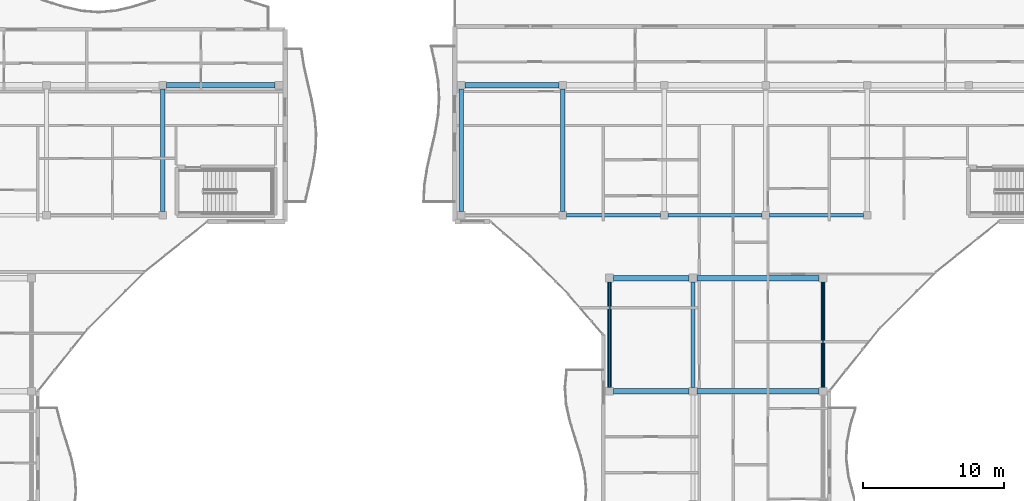
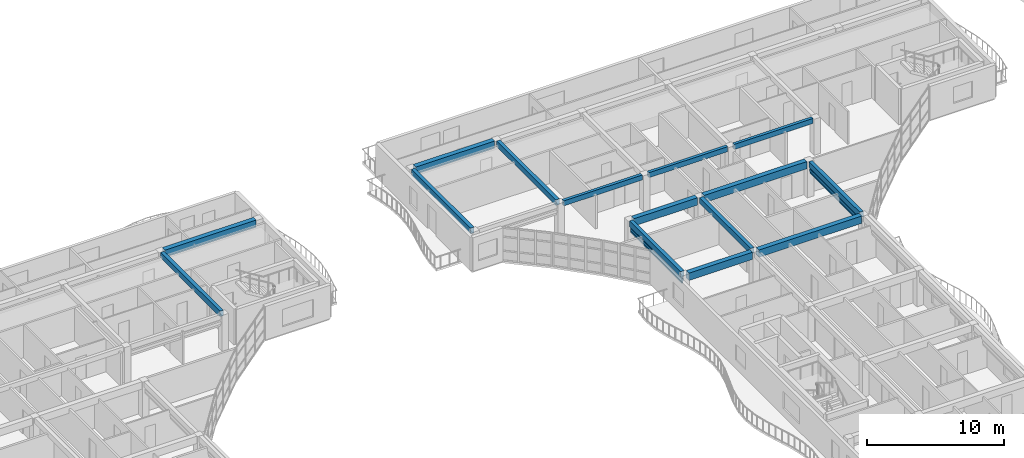
# One storey, part 12 of 54: 15 beams, 4 members.
"""IFC4 building model written with IfcOpenShell, lengths in metres."""

from ifc_helpers import new_model, si_unit, direction, frame, origin, origin_2d, place, context, subcontext, project, spatial, rectangle, hollow_rectangle, extrude, material, material_profile, profile_set, type_object, element, save


model = new_model("IFC4")

# Units and contexts
model_context = context("Model", 3, precision=1e-05, world=origin(), true_north=direction((0.0, 1.0)))
body_context = subcontext(model_context, "Body", "Model", "MODEL_VIEW")
ifc_project = project(units=[si_unit("LENGTHUNIT", "METRE"), si_unit("AREAUNIT", "SQUARE_METRE"), si_unit("VOLUMEUNIT", "CUBIC_METRE"), si_unit("PLANEANGLEUNIT", "RADIAN"), si_unit("MASSUNIT", "GRAM", prefix="KILO")], contexts=[model_context])

# Site, building, storey
site_placement = place(None, origin())
site = spatial("IfcSite", under=ifc_project, at=site_placement, CompositionType="ELEMENT")
building_placement = place(site_placement, origin())
building = spatial("IfcBuilding", under=site, at=building_placement, Name="Keldmere Railside Commons", CompositionType="ELEMENT")
storey_placement = place(building_placement, frame((0.0, 0.0, 26.56005859375)))
storey = spatial("IfcBuildingStorey", under=building, at=storey_placement, Name="L08", CompositionType="ELEMENT", Elevation=26.56005859375)

# Members
ifc_material_1 = material(Name="Steel F-36 (S355)", Category="steel")
ifc_material_profile_1 = material_profile(ifc_material_1, hollow_rectangle(XDim=0.14990234375, YDim=0.25, WallThickness=0.010009765625, at=origin_2d()), Name="RHS-250x150x10")
ifc_profile_set_1 = profile_set([ifc_material_profile_1], Name="Steel F-36 (S355)")
member_type_1 = type_object("IfcMemberType", Name="Balcony Continuous Planted Trough RHS250x150", PredefinedType="CHORD", material=ifc_profile_set_1)
for number, where, z_axis, x_axis, name in (
    (1, (104.449951171875, 88.27490234375, 2.4150390625), (0.0, 1.0, 0.0), (-1.0, 0.0, 0.0), "PLT-1 MEM-BPLT-0889"),
    (2, (119.550048828125, 88.27490234375, 2.4150390625), (0.0, 1.0, 0.0), (-1.0, 0.0, 0.0), "PLT-1 MEM-BPLT-0897"),
):
    element("IfcMember", number, at=place(storey_placement, frame(where, z_axis=z_axis, x_axis=x_axis)), inside=storey, type_object=member_type_1, Name=name, PredefinedType="CHORD", context=body_context, shape_type="SweptSolid", body=[
        extrude(hollow_rectangle(XDim=0.14990234375, YDim=0.25, WallThickness=0.010009765625, at=origin_2d()), origin(), (0.0, 0.0, 1.0), 7.4501953125),
    ])

# Beams
ifc_material_2 = material(Name="Architectural Precast Concrete H-35 (C35/45)", Category="concrete")
ifc_material_profile_2 = material_profile(ifc_material_2, rectangle(XDim=0.25, YDim=0.449951171875, at=origin_2d()), Name="RC-250x450")
ifc_profile_set_2 = profile_set([ifc_material_profile_2], Name="Architectural Precast Concrete H-35 (C35/45)")
beam_type_1 = type_object("IfcBeamType", Name="Perimeter Precast Spandrel Beam 250x450", PredefinedType="SPANDREL", material=ifc_profile_set_2)
beam_1_placement = place(storey_placement, frame((101.407958984375, 100.449951171875, 2.974853515625), z_axis=(1.0, 0.0, 0.0), x_axis=(0.0, 1.0, 0.0)))
element("IfcBeam", 3, at=beam_1_placement, inside=storey, type_object=beam_type_1, Name="SPB-1 BM-L08-2194", PredefinedType="SPANDREL", context=body_context, shape_type="SweptSolid", body=[
    extrude(rectangle(XDim=0.25, YDim=0.449951171875, at=origin_2d()), origin(), (0.0, 0.0, 1.0), 6.634033203125),
])
for number, where, z_axis, x_axis, name in (
    (4, (108.592041015625, 100.449951171875, 2.974853515625), (1.0, 0.0, 0.0), (0.0, 1.0, 0.0), "SPB-1 BM-L08-2195"),
    (5, (115.77490234375, 100.449951171875, 2.974853515625), (1.0, 0.0, 0.0), (0.0, 1.0, 0.0), "SPB-1 BM-L08-2196"),
):
    element("IfcBeam", number, at=place(storey_placement, frame(where, z_axis=z_axis, x_axis=x_axis)), inside=storey, type_object=beam_type_1, Name=name, PredefinedType="SPANDREL", context=body_context, shape_type="SweptSolid", body=[
        extrude(rectangle(XDim=0.25, YDim=0.449951171875, at=origin_2d()), origin(), (0.0, 0.0, 1.0), 6.633056640625),
    ])
ifc_material_3 = material(Name="Concrete H-30 (C30/37)", Category="concrete")
ifc_material_profile_3 = material_profile(ifc_material_3, rectangle(XDim=0.39990234375, YDim=0.64990234375, at=origin_2d()), Name="RC-400x650")
ifc_profile_set_3 = profile_set([ifc_material_profile_3], Name="Concrete H-30 (C30/37)")
beam_type_2 = type_object("IfcBeamType", Name="Residential Spine RC Girder 400x650", PredefinedType="BEAM", material=ifc_profile_set_3)
beam_2_placement = place(storey_placement, frame((104.72509765625, 88.0, 2.875), z_axis=(1.0, 0.0, 0.0), x_axis=(0.0, 1.0, 0.0)))
element("IfcBeam", 6, at=beam_2_placement, inside=storey, type_object=beam_type_2, Name="BG-3 BM-L08-2180", PredefinedType="BEAM", context=body_context, shape_type="SweptSolid", body=[
    extrude(rectangle(XDim=0.39990234375, YDim=0.64990234375, at=origin_2d()), origin(), (0.0, 0.0, 1.0), 5.349853515625),
])
beam_3_placement = place(storey_placement, frame((110.625, 88.0, 2.875), z_axis=(1.0, 0.0, 0.0), x_axis=(0.0, 1.0, 0.0)))
element("IfcBeam", 7, at=beam_3_placement, inside=storey, type_object=beam_type_2, Name="BG-3 BM-L08-2181", PredefinedType="BEAM", context=body_context, shape_type="SweptSolid", body=[
    extrude(rectangle(XDim=0.39990234375, YDim=0.64990234375, at=origin_2d()), origin(), (0.0, 0.0, 1.0), 8.64990234375),
])
beam_4_placement = place(storey_placement, frame((104.72509765625, 96.0, 2.875), z_axis=(1.0, 0.0, 0.0), x_axis=(0.0, 1.0, 0.0)))
element("IfcBeam", 8, at=beam_4_placement, inside=storey, type_object=beam_type_2, Name="BG-3 BM-L08-2186", PredefinedType="BEAM", context=body_context, shape_type="SweptSolid", body=[
    extrude(rectangle(XDim=0.39990234375, YDim=0.64990234375, at=origin_2d()), origin(), (0.0, 0.0, 1.0), 5.349853515625),
])
beam_5_placement = place(storey_placement, frame((110.625, 96.0, 2.875), z_axis=(1.0, 0.0, 0.0), x_axis=(0.0, 1.0, 0.0)))
element("IfcBeam", 9, at=beam_5_placement, inside=storey, type_object=beam_type_2, Name="BG-3 BM-L08-2187", PredefinedType="BEAM", context=body_context, shape_type="SweptSolid", body=[
    extrude(rectangle(XDim=0.39990234375, YDim=0.64990234375, at=origin_2d()), origin(), (0.0, 0.0, 1.0), 8.64990234375),
])
beam_6_placement = place(storey_placement, frame((73.10498046875, 109.64990234375, 2.875), z_axis=(1.0, 0.0, 0.0), x_axis=(0.0, 1.0, 0.0)))
element("IfcBeam", 10, at=beam_6_placement, inside=storey, type_object=beam_type_2, Name="BG-3 BM-L08-2203", PredefinedType="BEAM", context=body_context, shape_type="SweptSolid", body=[
    extrude(rectangle(XDim=0.39990234375, YDim=0.64990234375, at=origin_2d()), origin(), (0.0, 0.0, 1.0), 7.669921875),
])
beam_7_placement = place(storey_placement, frame((94.22509765625, 109.64990234375, 2.875), z_axis=(1.0, 0.0, 0.0), x_axis=(0.0, 1.0, 0.0)))
element("IfcBeam", 11, at=beam_7_placement, inside=storey, type_object=beam_type_2, Name="BG-3 BM-L08-2204", PredefinedType="BEAM", context=body_context, shape_type="SweptSolid", body=[
    extrude(rectangle(XDim=0.39990234375, YDim=0.64990234375, at=origin_2d()), origin(), (0.0, 0.0, 1.0), 6.6328125),
])
ifc_material_profile_4 = material_profile(ifc_material_3, rectangle(XDim=0.300048828125, YDim=0.5, at=origin_2d()), Name="RC-300x500")
ifc_profile_set_4 = profile_set([ifc_material_profile_4], Name="Concrete H-30 (C30/37)")
beam_type_3 = type_object("IfcBeamType", Name="Secondary Frame RC Beam 300x500", PredefinedType="BEAM", material=ifc_profile_set_4)
for number, where, z_axis, x_axis, name in (
    (12, (72.830078125, 100.72509765625, 2.949951171875), (0.0, 1.0, 0.0), (-1.0, 0.0, 0.0), "BG-5 BM-L08-2232"),
    (13, (93.949951171875, 100.72509765625, 2.949951171875), (0.0, 1.0, 0.0), (-1.0, 0.0, 0.0), "BG-5 BM-L08-2233"),
    (14, (101.133056640625, 100.72509765625, 2.949951171875), (0.0, 1.0, 0.0), (-1.0, 0.0, 0.0), "BG-5 BM-L08-2234"),
):
    element("IfcBeam", number, at=place(storey_placement, frame(where, z_axis=z_axis, x_axis=x_axis)), inside=storey, type_object=beam_type_3, Name=name, PredefinedType="BEAM", context=body_context, shape_type="SweptSolid", body=[
        extrude(rectangle(XDim=0.300048828125, YDim=0.5, at=origin_2d()), origin(), (0.0, 0.0, 1.0), 8.64990234375),
    ])
for number, where, z_axis, x_axis, name in (
    (15, (104.449951171875, 88.27490234375, 2.949951171875), (0.0, 1.0, 0.0), (-1.0, 0.0, 0.0), "BG-5 BM-L08-2235"),
    (16, (110.35009765625, 88.27490234375, 2.949951171875), (0.0, 1.0, 0.0), (-1.0, 0.0, 0.0), "BG-5 BM-L08-2240"),
    (17, (119.550048828125, 88.27490234375, 2.949951171875), (0.0, 1.0, 0.0), (-1.0, 0.0, 0.0), "BG-5 BM-L08-2245"),
):
    element("IfcBeam", number, at=place(storey_placement, frame(where, z_axis=z_axis, x_axis=x_axis)), inside=storey, type_object=beam_type_3, Name=name, PredefinedType="BEAM", context=body_context, shape_type="SweptSolid", body=[
        extrude(rectangle(XDim=0.300048828125, YDim=0.5, at=origin_2d()), origin(), (0.0, 0.0, 1.0), 7.4501953125),
    ])

# Members
ifc_material_profile_5 = material_profile(ifc_material_1, hollow_rectangle(XDim=0.10009765625, YDim=0.159912109375, WallThickness=0.008056640625, at=origin_2d()), Name="RHS-160x100x8")
ifc_profile_set_5 = profile_set([ifc_material_profile_5], Name="Steel F-36 (S355)")
member_type_2 = type_object("IfcMemberType", Name="Solar Brise-Soleil Louvre Fin RHS160x100", PredefinedType="STRUT", material=ifc_profile_set_5)
for number, where, z_axis, x_axis, name in (
    (18, (104.449951171875, 88.27490234375, 2.199951171875), (0.0, 1.0, 0.0), (-1.0, 0.0, 0.0), "BSF-1 MEM-BSF-0890"),
    (19, (119.550048828125, 88.27490234375, 2.199951171875), (0.0, 1.0, 0.0), (-1.0, 0.0, 0.0), "BSF-1 MEM-BSF-0898"),
):
    element("IfcMember", number, at=place(storey_placement, frame(where, z_axis=z_axis, x_axis=x_axis)), inside=storey, type_object=member_type_2, Name=name, PredefinedType="STRUT", context=body_context, shape_type="SweptSolid", body=[
        extrude(hollow_rectangle(XDim=0.10009765625, YDim=0.159912109375, WallThickness=0.008056640625, at=origin_2d()), origin(), (0.0, 0.0, 1.0), 7.4501953125),
    ])

save(model, "model.ifc")
